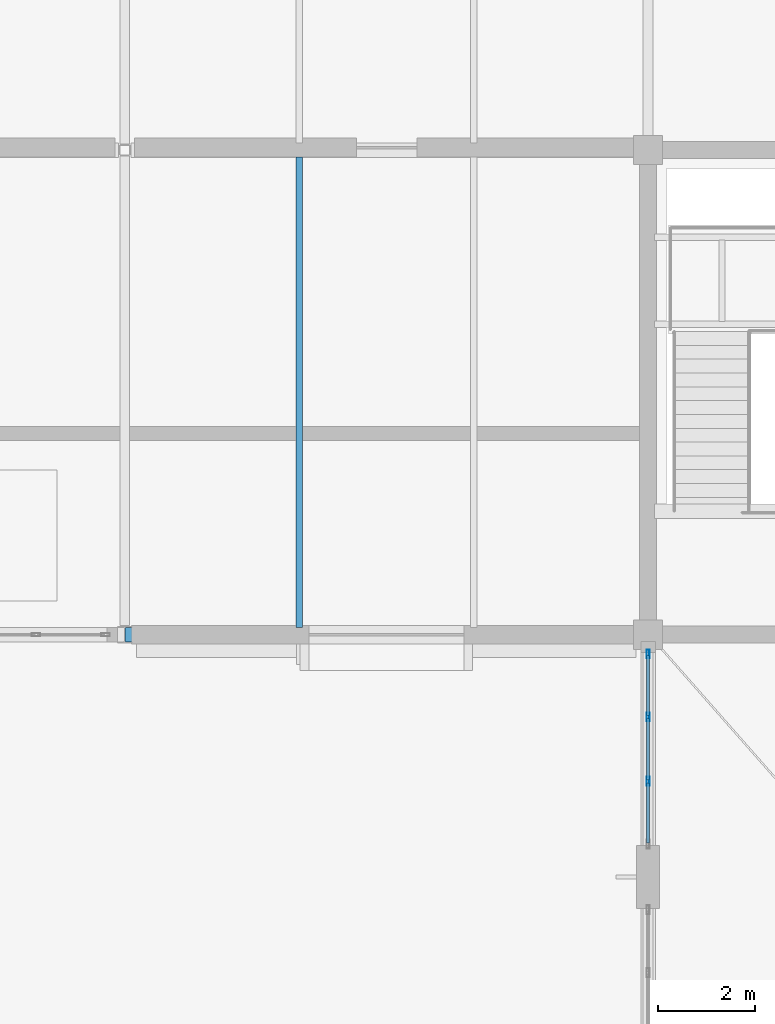
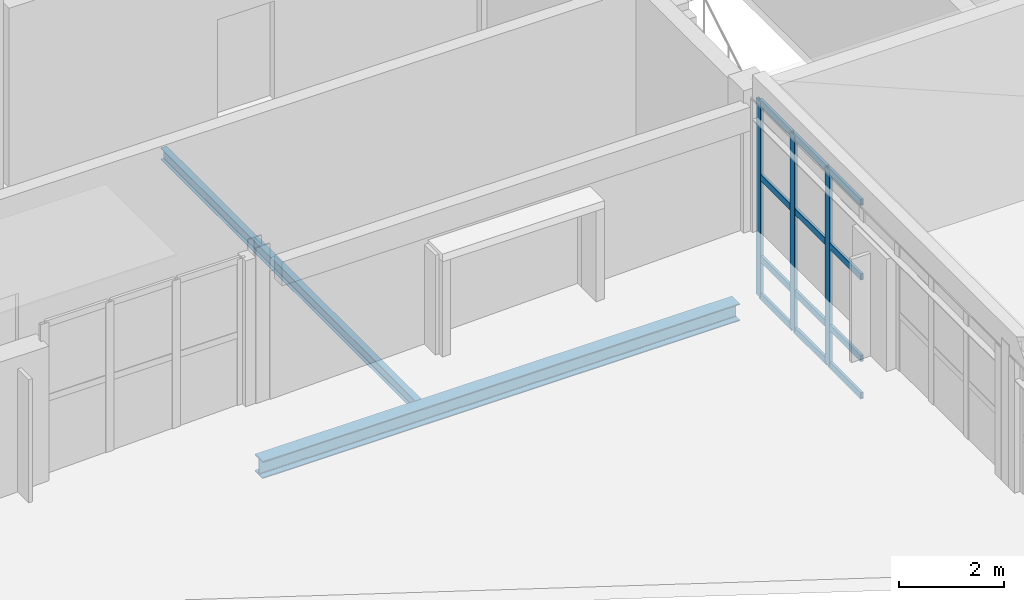
# One storey, part 22 of 86: 15 members, 2 beams, 1 element without a shape of its own.
"""IFC4 building model written with IfcOpenShell, lengths in metres."""

from ifc_helpers import new_model, si_unit, direction, frame, origin, origin_2d, place, context, subcontext, project, spatial, hollow_rectangle, i_section, extrude, material, layer, layer_set, material_profile, profile_set, type_object, element, aggregate, save


model = new_model("IFC4")

# Units and contexts
model_context = context("Model", 3, precision=1e-05, world=origin(), true_north=direction((0.0, 1.0)))
body_context = subcontext(model_context, "Body", "Model", "MODEL_VIEW")
ifc_project = project(units=[si_unit("LENGTHUNIT", "METRE"), si_unit("AREAUNIT", "SQUARE_METRE"), si_unit("VOLUMEUNIT", "CUBIC_METRE"), si_unit("PLANEANGLEUNIT", "RADIAN"), si_unit("MASSUNIT", "GRAM", prefix="KILO")], contexts=[model_context])

# Site, building, storey
site_placement = place(None, origin())
site = spatial("IfcSite", under=ifc_project, at=site_placement, CompositionType="ELEMENT")
building_placement = place(site_placement, origin())
building = spatial("IfcBuilding", under=site, at=building_placement, Name="Tasgan Crest Museum", CompositionType="ELEMENT")
storey_placement = place(building_placement, frame((0.0, 0.0, 24.0)))
storey = spatial("IfcBuildingStorey", under=building, at=storey_placement, Name="L04", CompositionType="ELEMENT", Elevation=24.0)

# Beams
ifc_material_1 = material(Name="Steel S355J2", Category="steel")
ifc_material_profile_1 = material_profile(ifc_material_1, i_section(OverallWidth=0.300048828125, OverallDepth=0.39990234375, WebThickness=0.013427734375, FlangeThickness=0.02392578125, FilletRadius=0.027099609375, at=origin_2d()), Name="HEB 400")
ifc_profile_set_1 = profile_set([ifc_material_profile_1], Name="Steel S355J2")
beam_type_1 = type_object("IfcBeamType", Name="BM-G-HEB400", PredefinedType="BEAM", material=ifc_profile_set_1)
beam_1_placement = place(storey_placement, frame((43.204833984375, 82.0, -0.43994140625), z_axis=(1.0, 0.0, 0.0), x_axis=(0.0, 1.0, 0.0)))
element("IfcBeam", 1, at=beam_1_placement, inside=storey, type_object=beam_type_1, Name="Girder L04 J 43.2-54.0", PredefinedType="BEAM", context=body_context, shape_type="SweptSolid", body=[
    extrude(i_section(OverallWidth=0.300048828125, OverallDepth=0.39990234375, WebThickness=0.013427734375, FlangeThickness=0.02392578125, FilletRadius=0.027099609375, at=origin_2d()), origin(), (0.0, 0.0, 1.0), 10.499267578125),
])
ifc_material_2 = material(Name="Steel S355J2", Category="steel")
ifc_material_profile_2 = material_profile(ifc_material_2, i_section(OverallWidth=0.135009765625, OverallDepth=0.27001953125, WebThickness=0.006591796875, FlangeThickness=0.01025390625, FilletRadius=0.014892578125, at=origin_2d()), Name="IPE 270")
ifc_profile_set_2 = profile_set([ifc_material_profile_2], Name="Steel S355J2")
beam_type_2 = type_object("IfcBeamType", Name="BM-J-IPE270", PredefinedType="JOIST", material=ifc_profile_set_2)
beam_2_placement = place(storey_placement, frame((46.800048828125, 82.14501953125, -0.375), z_axis=(0.0, 1.0, 0.0), x_axis=(-1.0, 0.0, 0.0)))
element("IfcBeam", 2, at=beam_2_placement, inside=storey, type_object=beam_type_2, Name="Secondary joist L04 X=46.8 Y=82.0-92.0", PredefinedType="JOIST", context=body_context, shape_type="SweptSolid", body=[
    extrude(i_section(OverallWidth=0.135009765625, OverallDepth=0.27001953125, WebThickness=0.006591796875, FlangeThickness=0.01025390625, FilletRadius=0.014892578125, at=origin_2d()), origin(), (0.0, 0.0, 1.0), 9.7099609375),
])

# Curtain wall, members
ifc_material_3 = material(Name="Triple-Glazed Aluminium Curtain Wall", Category="aluminium")
ifc_layer = layer(ifc_material_3, 0.179931640625, Name="CW-DRUM-Y10-48")
ifc_layer_set = layer_set([ifc_layer], Name="Triple-Glazed Aluminium Curtain Wall")
curtain_wall_type = type_object("IfcCurtainWallType", Name="CW-DRUM-Y10-48", PredefinedType="NOTDEFINED", material=ifc_layer_set)
curtain_wall_placement = place(storey_placement, origin())
curtain_wall = element("IfcCurtainWall", 3, at=curtain_wall_placement, inside=storey, type_object=curtain_wall_type, Name="Curtain wall L04 177", PredefinedType="NOTDEFINED")
ifc_material_4 = material(Name="Anodised Aluminium", Category="aluminium")
ifc_material_profile_3 = material_profile(ifc_material_4, hollow_rectangle(XDim=0.06494140625, YDim=0.179931640625, WallThickness=0.0048828125, at=origin_2d()), Name="ALU MULLION 180x65x5")
ifc_profile_set_3 = profile_set([ifc_material_profile_3], Name="Anodised Aluminium")
member_type_1 = type_object("IfcMemberType", Name="CW-MULLION-180", PredefinedType="MULLION", material=ifc_profile_set_3)
member_1_placement = place(storey_placement, frame((54.0, 81.60498046875, 0.0), z_axis=(0.0, 0.0, 1.0), x_axis=(1.0, 0.0, 0.0)))
member_1 = element("IfcMember", 4, at=member_1_placement, type_object=member_type_1, Name="CW04 mullion 1", PredefinedType="MULLION", context=body_context, shape_type="SweptSolid", body=[
    extrude(hollow_rectangle(XDim=0.06494140625, YDim=0.179931640625, WallThickness=0.0048828125, at=origin_2d()), origin(), (0.0, 0.0, 1.0), 4.56005859375),
])
member_2_placement = place(storey_placement, frame((54.0, 80.304931640625, 0.0), z_axis=(0.0, 0.0, 1.0), x_axis=(1.0, 0.0, 0.0)))
member_2 = element("IfcMember", 5, at=member_2_placement, type_object=member_type_1, Name="CW04 mullion 2", PredefinedType="MULLION", context=body_context, shape_type="SweptSolid", body=[
    extrude(hollow_rectangle(XDim=0.06494140625, YDim=0.179931640625, WallThickness=0.0048828125, at=origin_2d()), origin(), (0.0, 0.0, 1.0), 4.56005859375),
])
member_3_placement = place(storey_placement, frame((54.0, 78.97509765625, 0.0), z_axis=(0.0, 0.0, 1.0), x_axis=(1.0, 0.0, 0.0)))
member_3 = element("IfcMember", 6, at=member_3_placement, type_object=member_type_1, Name="CW04 mullion 3", PredefinedType="MULLION", context=body_context, shape_type="SweptSolid", body=[
    extrude(hollow_rectangle(XDim=0.06494140625, YDim=0.179931640625, WallThickness=0.0048828125, at=origin_2d()), origin(), (0.0, 0.0, 1.0), 4.56005859375),
])
ifc_material_5 = material(Name="Anodised Aluminium", Category="aluminium")
ifc_material_profile_4 = material_profile(ifc_material_5, hollow_rectangle(XDim=0.06005859375, YDim=0.14990234375, WallThickness=0.0048828125, at=origin_2d()), Name="ALU TRANSOM 150x60x5")
ifc_profile_set_4 = profile_set([ifc_material_profile_4], Name="Anodised Aluminium")
member_type_2 = type_object("IfcMemberType", Name="CW-TRANSOM-150", PredefinedType="USERDEFINED", material=ifc_profile_set_4)
member_4_placement = place(storey_placement, frame((54.0, 81.574951171875, 0.030029296875), z_axis=(0.0, -1.0, 0.0), x_axis=(1.0, 0.0, 0.0)))
member_4 = element("IfcMember", 7, at=member_4_placement, type_object=member_type_2, Name="CW04 transom 1.1", ObjectType="TRANSOM", PredefinedType="USERDEFINED", context=body_context, shape_type="SweptSolid", body=[
    extrude(hollow_rectangle(XDim=0.06005859375, YDim=0.14990234375, WallThickness=0.0048828125, at=origin_2d()), origin(), (0.0, 0.0, 1.0), 1.239990234375),
])
member_5_placement = place(storey_placement, frame((54.0, 81.574951171875, 0.89990234375), z_axis=(0.0, -1.0, 0.0), x_axis=(1.0, 0.0, 0.0)))
member_5 = element("IfcMember", 8, at=member_5_placement, type_object=member_type_2, Name="CW04 transom 1.2", ObjectType="TRANSOM", PredefinedType="USERDEFINED", context=body_context, shape_type="SweptSolid", body=[
    extrude(hollow_rectangle(XDim=0.06005859375, YDim=0.14990234375, WallThickness=0.0048828125, at=origin_2d()), origin(), (0.0, 0.0, 1.0), 1.239990234375),
])
member_6_placement = place(storey_placement, frame((54.0, 81.574951171875, 2.800048828125), z_axis=(0.0, -1.0, 0.0), x_axis=(1.0, 0.0, 0.0)))
member_6 = element("IfcMember", 9, at=member_6_placement, type_object=member_type_2, Name="CW04 transom 1.3", ObjectType="TRANSOM", PredefinedType="USERDEFINED", context=body_context, shape_type="SweptSolid", body=[
    extrude(hollow_rectangle(XDim=0.06005859375, YDim=0.14990234375, WallThickness=0.0048828125, at=origin_2d()), origin(), (0.0, 0.0, 1.0), 1.239990234375),
])
member_7_placement = place(storey_placement, frame((54.0, 81.574951171875, 4.530029296875), z_axis=(0.0, -1.0, 0.0), x_axis=(1.0, 0.0, 0.0)))
member_7 = element("IfcMember", 10, at=member_7_placement, type_object=member_type_2, Name="CW04 transom 1.4", ObjectType="TRANSOM", PredefinedType="USERDEFINED", context=body_context, shape_type="SweptSolid", body=[
    extrude(hollow_rectangle(XDim=0.06005859375, YDim=0.14990234375, WallThickness=0.0048828125, at=origin_2d()), origin(), (0.0, 0.0, 1.0), 1.239990234375),
])
member_8_placement = place(storey_placement, frame((54.0, 80.27490234375, 0.030029296875), z_axis=(0.0, -1.0, 0.0), x_axis=(1.0, 0.0, 0.0)))
member_8 = element("IfcMember", 11, at=member_8_placement, type_object=member_type_2, Name="CW04 transom 2.1", ObjectType="TRANSOM", PredefinedType="USERDEFINED", context=body_context, shape_type="SweptSolid", body=[
    extrude(hollow_rectangle(XDim=0.06005859375, YDim=0.14990234375, WallThickness=0.0048828125, at=origin_2d()), origin(), (0.0, 0.0, 1.0), 1.27001953125),
])
member_9_placement = place(storey_placement, frame((54.0, 80.27490234375, 0.89990234375), z_axis=(0.0, -1.0, 0.0), x_axis=(1.0, 0.0, 0.0)))
member_9 = element("IfcMember", 12, at=member_9_placement, type_object=member_type_2, Name="CW04 transom 2.2", ObjectType="TRANSOM", PredefinedType="USERDEFINED", context=body_context, shape_type="SweptSolid", body=[
    extrude(hollow_rectangle(XDim=0.06005859375, YDim=0.14990234375, WallThickness=0.0048828125, at=origin_2d()), origin(), (0.0, 0.0, 1.0), 1.27001953125),
])
member_10_placement = place(storey_placement, frame((54.0, 80.27490234375, 2.800048828125), z_axis=(0.0, -1.0, 0.0), x_axis=(1.0, 0.0, 0.0)))
member_10 = element("IfcMember", 13, at=member_10_placement, type_object=member_type_2, Name="CW04 transom 2.3", ObjectType="TRANSOM", PredefinedType="USERDEFINED", context=body_context, shape_type="SweptSolid", body=[
    extrude(hollow_rectangle(XDim=0.06005859375, YDim=0.14990234375, WallThickness=0.0048828125, at=origin_2d()), origin(), (0.0, 0.0, 1.0), 1.27001953125),
])
member_11_placement = place(storey_placement, frame((54.0, 80.27490234375, 4.530029296875), z_axis=(0.0, -1.0, 0.0), x_axis=(1.0, 0.0, 0.0)))
member_11 = element("IfcMember", 14, at=member_11_placement, type_object=member_type_2, Name="CW04 transom 2.4", ObjectType="TRANSOM", PredefinedType="USERDEFINED", context=body_context, shape_type="SweptSolid", body=[
    extrude(hollow_rectangle(XDim=0.06005859375, YDim=0.14990234375, WallThickness=0.0048828125, at=origin_2d()), origin(), (0.0, 0.0, 1.0), 1.27001953125),
])
member_12_placement = place(storey_placement, frame((54.0, 78.945068359375, 0.030029296875), z_axis=(0.0, -1.0, 0.0), x_axis=(1.0, 0.0, 0.0)))
member_12 = element("IfcMember", 15, at=member_12_placement, type_object=member_type_2, Name="CW04 transom 3.1", ObjectType="TRANSOM", PredefinedType="USERDEFINED", context=body_context, shape_type="SweptSolid", body=[
    extrude(hollow_rectangle(XDim=0.06005859375, YDim=0.14990234375, WallThickness=0.0048828125, at=origin_2d()), origin(), (0.0, 0.0, 1.0), 1.239990234375),
])
member_13_placement = place(storey_placement, frame((54.0, 78.945068359375, 0.89990234375), z_axis=(0.0, -1.0, 0.0), x_axis=(1.0, 0.0, 0.0)))
member_13 = element("IfcMember", 16, at=member_13_placement, type_object=member_type_2, Name="CW04 transom 3.2", ObjectType="TRANSOM", PredefinedType="USERDEFINED", context=body_context, shape_type="SweptSolid", body=[
    extrude(hollow_rectangle(XDim=0.06005859375, YDim=0.14990234375, WallThickness=0.0048828125, at=origin_2d()), origin(), (0.0, 0.0, 1.0), 1.239990234375),
])
member_14_placement = place(storey_placement, frame((54.0, 78.945068359375, 2.800048828125), z_axis=(0.0, -1.0, 0.0), x_axis=(1.0, 0.0, 0.0)))
member_14 = element("IfcMember", 17, at=member_14_placement, type_object=member_type_2, Name="CW04 transom 3.3", ObjectType="TRANSOM", PredefinedType="USERDEFINED", context=body_context, shape_type="SweptSolid", body=[
    extrude(hollow_rectangle(XDim=0.06005859375, YDim=0.14990234375, WallThickness=0.0048828125, at=origin_2d()), origin(), (0.0, 0.0, 1.0), 1.239990234375),
])
member_15_placement = place(storey_placement, frame((54.0, 78.945068359375, 4.530029296875), z_axis=(0.0, -1.0, 0.0), x_axis=(1.0, 0.0, 0.0)))
member_15 = element("IfcMember", 18, at=member_15_placement, type_object=member_type_2, Name="CW04 transom 3.4", ObjectType="TRANSOM", PredefinedType="USERDEFINED", context=body_context, shape_type="SweptSolid", body=[
    extrude(hollow_rectangle(XDim=0.06005859375, YDim=0.14990234375, WallThickness=0.0048828125, at=origin_2d()), origin(), (0.0, 0.0, 1.0), 1.239990234375),
])
aggregate(curtain_wall, [member_1, member_2, member_3, member_4, member_5, member_6, member_7, member_8, member_9, member_10, member_11, member_12, member_13, member_14, member_15])

save(model, "model.ifc")
